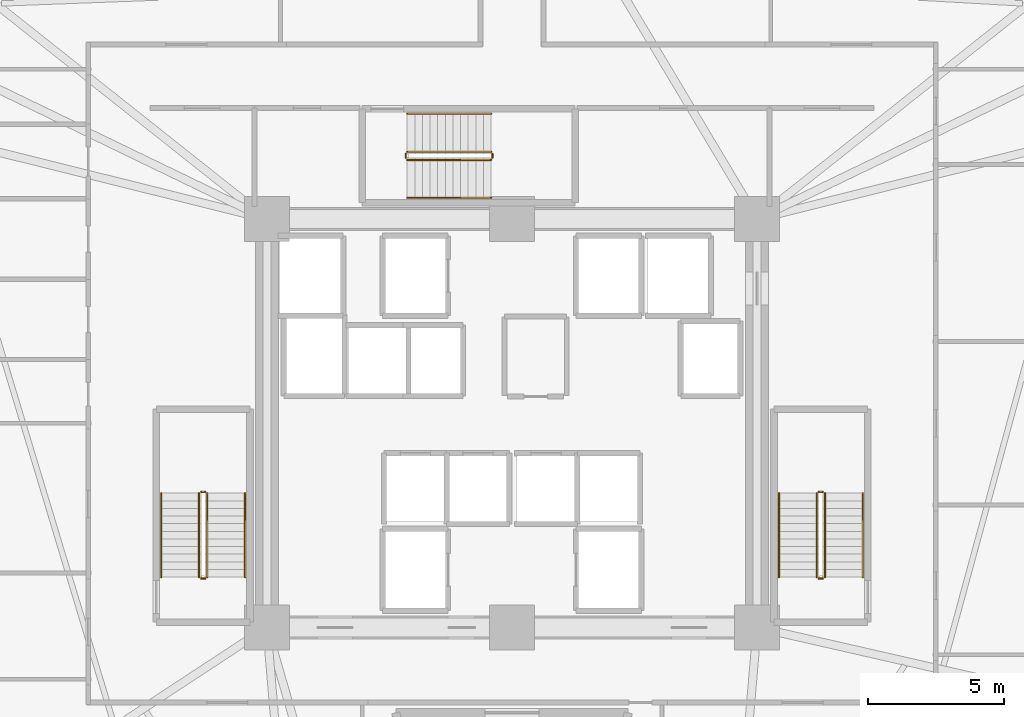
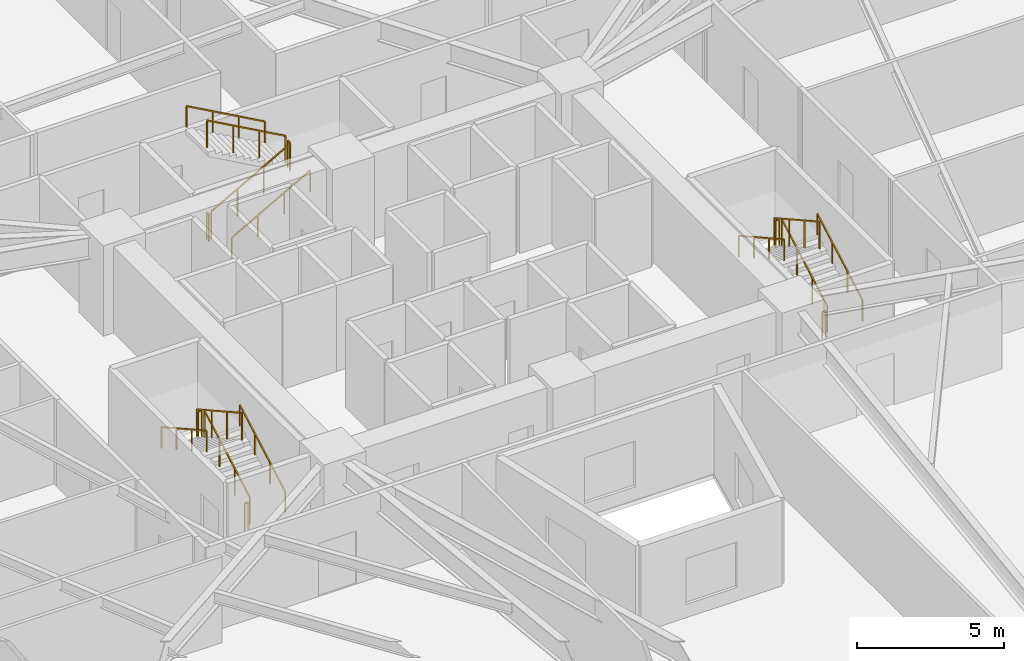
# One storey, part 9 of 9: 18 railings.
"""IFC4 building model written with IfcOpenShell, lengths in metres."""

from ifc_helpers import new_model, si_unit, direction, frame, origin, origin_2d, place, context, subcontext, project, spatial, rectangle, extrude, material, type_object, element, save


model = new_model("IFC4")

# Units and contexts
model_context = context("Model", 3, precision=1e-05, world=origin(), true_north=direction((0.0, 1.0)))
body_context = subcontext(model_context, "Body", "Model", "MODEL_VIEW")
ifc_project = project(units=[si_unit("LENGTHUNIT", "METRE"), si_unit("AREAUNIT", "SQUARE_METRE"), si_unit("VOLUMEUNIT", "CUBIC_METRE"), si_unit("PLANEANGLEUNIT", "RADIAN"), si_unit("MASSUNIT", "GRAM", prefix="KILO")], contexts=[model_context])

# Site, building, storey
site_placement = place(None, origin())
site = spatial("IfcSite", under=ifc_project, at=site_placement, CompositionType="ELEMENT")
building_placement = place(site_placement, origin())
building = spatial("IfcBuilding", under=site, at=building_placement, Name="Liaohun Quay Tower", CompositionType="ELEMENT")
storey_placement = place(building_placement, frame((0.0, 0.0, 74.25)))
storey = spatial("IfcBuildingStorey", under=building, at=storey_placement, Name="L19", CompositionType="ELEMENT", Elevation=74.25)

# Railings
ifc_material_1 = material(Name="Painted tubular steel", Category="steel")
railing_type_1 = type_object("IfcRailingType", Name="RLG-GUARD-STR", PredefinedType="GUARDRAIL", material=ifc_material_1)
railing_1_placement = place(storey_placement, frame((48.81005859375, 48.35009765625, 0.15625)))
element("IfcRailing", 1, at=railing_1_placement, inside=storey, type_object=railing_type_1, Name="L19 ST-1 stair guard 1", PredefinedType="GUARDRAIL", context=body_context, shape_type="SweptSolid", body=[
    extrude(rectangle(XDim=0.048095703125, YDim=0.048095703125, at=origin_2d()), frame((0.0, 0.0, 1.1259765625), z_axis=(0.0, 0.873225103656, 0.487317061414), x_axis=(-1.0, 0.0, 0.0)), (0.0, 0.0, 1.0), 3.52685546875),
    extrude(rectangle(XDim=0.0419921875, YDim=0.0419921875, at=origin_2d()), origin(), (0.0, 0.0, 1.0), 1.101806640625),
    extrude(rectangle(XDim=0.0419921875, YDim=0.0419921875, at=origin_2d()), frame((0.0, 1.026611328125, 0.572998046875)), (0.0, 0.0, 1.0), 1.101806640625),
    extrude(rectangle(XDim=0.0419921875, YDim=0.0419921875, at=origin_2d()), frame((0.0, 2.05322265625, 1.145751953125)), (0.0, 0.0, 1.0), 1.101806640625),
    extrude(rectangle(XDim=0.0419921875, YDim=0.0419921875, at=origin_2d()), frame((0.0, 3.079833984375, 1.71875)), (0.0, 0.0, 1.0), 1.101806640625),
])
railing_2_placement = place(storey_placement, frame((48.72998046875, 51.47998046875, 1.875)))
element("IfcRailing", 2, at=railing_2_placement, inside=storey, type_object=railing_type_1, Name="L19 ST-1 stair guard 2", PredefinedType="GUARDRAIL", context=body_context, shape_type="SweptSolid", body=[
    extrude(rectangle(XDim=0.048095703125, YDim=0.048095703125, at=origin_2d()), frame((0.0, 0.0, 1.1259765625), z_axis=(-1.0, 0.0, 0.0), x_axis=(0.0, -1.0, 0.0)), (0.0, 0.0, 1.0), 0.139892578125),
    extrude(rectangle(XDim=0.0419921875, YDim=0.0419921875, at=origin_2d()), origin(), (0.0, 0.0, 1.0), 1.101806640625),
    extrude(rectangle(XDim=0.0419921875, YDim=0.0419921875, at=origin_2d()), frame((-0.139892578125, 0.0, 0.0)), (0.0, 0.0, 1.0), 1.101806640625),
])
railing_3_placement = place(storey_placement, frame((48.510009765625, 51.429931640625, 2.03125)))
element("IfcRailing", 3, at=railing_3_placement, inside=storey, type_object=railing_type_1, Name="L19 ST-1 stair guard 3", PredefinedType="GUARDRAIL", context=body_context, shape_type="SweptSolid", body=[
    extrude(rectangle(XDim=0.048095703125, YDim=0.048095703125, at=origin_2d()), frame((0.0, 0.0, 1.1259765625), z_axis=(0.0, -0.873225103656, 0.487317061414), x_axis=(1.0, 0.0, 0.0)), (0.0, 0.0, 1.0), 3.52685546875),
    extrude(rectangle(XDim=0.0419921875, YDim=0.0419921875, at=origin_2d()), origin(), (0.0, 0.0, 1.0), 1.101806640625),
    extrude(rectangle(XDim=0.0419921875, YDim=0.0419921875, at=origin_2d()), frame((0.0, -1.026611328125, 0.572998046875)), (0.0, 0.0, 1.0), 1.101806640625),
    extrude(rectangle(XDim=0.0419921875, YDim=0.0419921875, at=origin_2d()), frame((0.0, -2.05322265625, 1.145751953125)), (0.0, 0.0, 1.0), 1.101806640625),
    extrude(rectangle(XDim=0.0419921875, YDim=0.0419921875, at=origin_2d()), frame((0.0, -3.079833984375, 1.71875)), (0.0, 0.0, 1.0), 1.101806640625),
])
railing_4_placement = place(storey_placement, frame((48.72998046875, 48.300048828125, 0.0)))
element("IfcRailing", 4, at=railing_4_placement, inside=storey, type_object=railing_type_1, Name="L19 ST-1 stair guard 4", PredefinedType="GUARDRAIL", context=body_context, shape_type="SweptSolid", body=[
    extrude(rectangle(XDim=0.048095703125, YDim=0.048095703125, at=origin_2d()), frame((0.0, 0.0, 1.1259765625), z_axis=(-1.0, 0.0, 0.0), x_axis=(0.0, -1.0, 0.0)), (0.0, 0.0, 1.0), 0.139892578125),
    extrude(rectangle(XDim=0.0419921875, YDim=0.0419921875, at=origin_2d()), origin(), (0.0, 0.0, 1.0), 1.101806640625),
    extrude(rectangle(XDim=0.0419921875, YDim=0.0419921875, at=origin_2d()), frame((-0.139892578125, 0.0, 0.0)), (0.0, 0.0, 1.0), 1.101806640625),
])
railing_5_placement = place(storey_placement, frame((71.489990234375, 48.35009765625, 0.15625)))
element("IfcRailing", 5, at=railing_5_placement, inside=storey, type_object=railing_type_1, Name="L19 ST-2 stair guard 1", PredefinedType="GUARDRAIL", context=body_context, shape_type="SweptSolid", body=[
    extrude(rectangle(XDim=0.048095703125, YDim=0.048095703125, at=origin_2d()), frame((0.0, 0.0, 1.1259765625), z_axis=(0.0, 0.873225103656, 0.487317061414), x_axis=(-1.0, 0.0, 0.0)), (0.0, 0.0, 1.0), 3.52685546875),
    extrude(rectangle(XDim=0.0419921875, YDim=0.0419921875, at=origin_2d()), origin(), (0.0, 0.0, 1.0), 1.101806640625),
    extrude(rectangle(XDim=0.0419921875, YDim=0.0419921875, at=origin_2d()), frame((0.0, 1.026611328125, 0.572998046875)), (0.0, 0.0, 1.0), 1.101806640625),
    extrude(rectangle(XDim=0.0419921875, YDim=0.0419921875, at=origin_2d()), frame((0.0, 2.05322265625, 1.145751953125)), (0.0, 0.0, 1.0), 1.101806640625),
    extrude(rectangle(XDim=0.0419921875, YDim=0.0419921875, at=origin_2d()), frame((0.0, 3.079833984375, 1.71875)), (0.0, 0.0, 1.0), 1.101806640625),
])
railing_6_placement = place(storey_placement, frame((71.409912109375, 51.47998046875, 1.875)))
element("IfcRailing", 6, at=railing_6_placement, inside=storey, type_object=railing_type_1, Name="L19 ST-2 stair guard 2", PredefinedType="GUARDRAIL", context=body_context, shape_type="SweptSolid", body=[
    extrude(rectangle(XDim=0.048095703125, YDim=0.048095703125, at=origin_2d()), frame((0.0, 0.0, 1.1259765625), z_axis=(-1.0, 0.0, 0.0), x_axis=(0.0, -1.0, 0.0)), (0.0, 0.0, 1.0), 0.139892578125),
    extrude(rectangle(XDim=0.0419921875, YDim=0.0419921875, at=origin_2d()), origin(), (0.0, 0.0, 1.0), 1.101806640625),
    extrude(rectangle(XDim=0.0419921875, YDim=0.0419921875, at=origin_2d()), frame((-0.139892578125, 0.0, 0.0)), (0.0, 0.0, 1.0), 1.101806640625),
])
railing_7_placement = place(storey_placement, frame((71.18994140625, 51.429931640625, 2.03125)))
element("IfcRailing", 7, at=railing_7_placement, inside=storey, type_object=railing_type_1, Name="L19 ST-2 stair guard 3", PredefinedType="GUARDRAIL", context=body_context, shape_type="SweptSolid", body=[
    extrude(rectangle(XDim=0.048095703125, YDim=0.048095703125, at=origin_2d()), frame((0.0, 0.0, 1.1259765625), z_axis=(0.0, -0.873225103656, 0.487317061414), x_axis=(1.0, 0.0, 0.0)), (0.0, 0.0, 1.0), 3.52685546875),
    extrude(rectangle(XDim=0.0419921875, YDim=0.0419921875, at=origin_2d()), origin(), (0.0, 0.0, 1.0), 1.101806640625),
    extrude(rectangle(XDim=0.0419921875, YDim=0.0419921875, at=origin_2d()), frame((0.0, -1.026611328125, 0.572998046875)), (0.0, 0.0, 1.0), 1.101806640625),
    extrude(rectangle(XDim=0.0419921875, YDim=0.0419921875, at=origin_2d()), frame((0.0, -2.05322265625, 1.145751953125)), (0.0, 0.0, 1.0), 1.101806640625),
    extrude(rectangle(XDim=0.0419921875, YDim=0.0419921875, at=origin_2d()), frame((0.0, -3.079833984375, 1.71875)), (0.0, 0.0, 1.0), 1.101806640625),
])
railing_8_placement = place(storey_placement, frame((71.409912109375, 48.300048828125, 0.0)))
element("IfcRailing", 8, at=railing_8_placement, inside=storey, type_object=railing_type_1, Name="L19 ST-2 stair guard 4", PredefinedType="GUARDRAIL", context=body_context, shape_type="SweptSolid", body=[
    extrude(rectangle(XDim=0.048095703125, YDim=0.048095703125, at=origin_2d()), frame((0.0, 0.0, 1.1259765625), z_axis=(-1.0, 0.0, 0.0), x_axis=(0.0, -1.0, 0.0)), (0.0, 0.0, 1.0), 0.139892578125),
    extrude(rectangle(XDim=0.0419921875, YDim=0.0419921875, at=origin_2d()), origin(), (0.0, 0.0, 1.0), 1.101806640625),
    extrude(rectangle(XDim=0.0419921875, YDim=0.0419921875, at=origin_2d()), frame((-0.139892578125, 0.0, 0.0)), (0.0, 0.0, 1.0), 1.101806640625),
])
railing_9_placement = place(storey_placement, frame((56.14990234375, 63.669921875, 0.15625)))
element("IfcRailing", 9, at=railing_9_placement, inside=storey, type_object=railing_type_1, Name="L19 ST-3 stair guard 1", PredefinedType="GUARDRAIL", context=body_context, shape_type="SweptSolid", body=[
    extrude(rectangle(XDim=0.048095703125, YDim=0.048095703125, at=origin_2d()), frame((0.0, 0.0, 1.1259765625), z_axis=(0.873241540666, 0.0, 0.487287606713), x_axis=(0.0, 1.0, 0.0)), (0.0, 0.0, 1.0), 3.527099609375),
    extrude(rectangle(XDim=0.0419921875, YDim=0.0419921875, at=origin_2d()), origin(), (0.0, 0.0, 1.0), 1.101806640625),
    extrude(rectangle(XDim=0.0419921875, YDim=0.0419921875, at=origin_2d()), frame((1.026611328125, 0.0, 0.572998046875)), (0.0, 0.0, 1.0), 1.101806640625),
    extrude(rectangle(XDim=0.0419921875, YDim=0.0419921875, at=origin_2d()), frame((2.053466796875, 0.0, 1.145751953125)), (0.0, 0.0, 1.0), 1.101806640625),
    extrude(rectangle(XDim=0.0419921875, YDim=0.0419921875, at=origin_2d()), frame((3.080078125, 0.0, 1.71875)), (0.0, 0.0, 1.0), 1.101806640625),
])
railing_10_placement = place(storey_placement, frame((59.280029296875, 63.75, 1.875)))
element("IfcRailing", 10, at=railing_10_placement, inside=storey, type_object=railing_type_1, Name="L19 ST-3 stair guard 2", PredefinedType="GUARDRAIL", context=body_context, shape_type="SweptSolid", body=[
    extrude(rectangle(XDim=0.048095703125, YDim=0.048095703125, at=origin_2d()), frame((0.0, 0.0, 1.1259765625), z_axis=(0.0, 1.0, 0.0), x_axis=(-1.0, 0.0, 0.0)), (0.0, 0.0, 1.0), 0.139892578125),
    extrude(rectangle(XDim=0.0419921875, YDim=0.0419921875, at=origin_2d()), origin(), (0.0, 0.0, 1.0), 1.101806640625),
    extrude(rectangle(XDim=0.0419921875, YDim=0.0419921875, at=origin_2d()), frame((0.0, 0.139892578125, 0.0)), (0.0, 0.0, 1.0), 1.101806640625),
])
railing_11_placement = place(storey_placement, frame((59.22998046875, 63.969970703125, 2.03125)))
element("IfcRailing", 11, at=railing_11_placement, inside=storey, type_object=railing_type_1, Name="L19 ST-3 stair guard 3", PredefinedType="GUARDRAIL", context=body_context, shape_type="SweptSolid", body=[
    extrude(rectangle(XDim=0.048095703125, YDim=0.048095703125, at=origin_2d()), frame((0.0, 0.0, 1.1259765625), z_axis=(-0.873241540666, 0.0, 0.487287606713), x_axis=(0.0, -1.0, 0.0)), (0.0, 0.0, 1.0), 3.527099609375),
    extrude(rectangle(XDim=0.0419921875, YDim=0.0419921875, at=origin_2d()), origin(), (0.0, 0.0, 1.0), 1.101806640625),
    extrude(rectangle(XDim=0.0419921875, YDim=0.0419921875, at=origin_2d()), frame((-1.026611328125, 0.0, 0.572998046875)), (0.0, 0.0, 1.0), 1.101806640625),
    extrude(rectangle(XDim=0.0419921875, YDim=0.0419921875, at=origin_2d()), frame((-2.053466796875, 0.0, 1.145751953125)), (0.0, 0.0, 1.0), 1.101806640625),
    extrude(rectangle(XDim=0.0419921875, YDim=0.0419921875, at=origin_2d()), frame((-3.080078125, 0.0, 1.71875)), (0.0, 0.0, 1.0), 1.101806640625),
])
railing_12_placement = place(storey_placement, frame((56.10009765625, 63.75, 0.0)))
element("IfcRailing", 12, at=railing_12_placement, inside=storey, type_object=railing_type_1, Name="L19 ST-3 stair guard 4", PredefinedType="GUARDRAIL", context=body_context, shape_type="SweptSolid", body=[
    extrude(rectangle(XDim=0.048095703125, YDim=0.048095703125, at=origin_2d()), frame((0.0, 0.0, 1.1259765625), z_axis=(0.0, 1.0, 0.0), x_axis=(-1.0, 0.0, 0.0)), (0.0, 0.0, 1.0), 0.139892578125),
    extrude(rectangle(XDim=0.0419921875, YDim=0.0419921875, at=origin_2d()), origin(), (0.0, 0.0, 1.0), 1.101806640625),
    extrude(rectangle(XDim=0.0419921875, YDim=0.0419921875, at=origin_2d()), frame((0.0, 0.139892578125, 0.0)), (0.0, 0.0, 1.0), 1.101806640625),
])
ifc_material_2 = material(Name="Brushed stainless steel", Category="steel")
railing_type_2 = type_object("IfcRailingType", Name="RLG-HND-STR", PredefinedType="HANDRAIL", material=ifc_material_2)
railing_13_placement = place(storey_placement, frame((50.199951171875, 48.35009765625, 0.15625)))
element("IfcRailing", 13, at=railing_13_placement, inside=storey, type_object=railing_type_2, Name="L19 ST-1 stair handrail 1", PredefinedType="HANDRAIL", context=body_context, shape_type="SweptSolid", body=[
    extrude(rectangle(XDim=0.048095703125, YDim=0.048095703125, at=origin_2d()), frame((0.0, 0.0, 0.8759765625), z_axis=(0.0, 0.873225103656, 0.487317061414), x_axis=(-1.0, 0.0, 0.0)), (0.0, 0.0, 1.0), 3.52685546875),
    extrude(rectangle(XDim=0.0419921875, YDim=0.0419921875, at=origin_2d()), origin(), (0.0, 0.0, 1.0), 0.851806640625),
    extrude(rectangle(XDim=0.0419921875, YDim=0.0419921875, at=origin_2d()), frame((0.0, 1.026611328125, 0.572998046875)), (0.0, 0.0, 1.0), 0.851806640625),
    extrude(rectangle(XDim=0.0419921875, YDim=0.0419921875, at=origin_2d()), frame((0.0, 2.05322265625, 1.145751953125)), (0.0, 0.0, 1.0), 0.851806640625),
    extrude(rectangle(XDim=0.0419921875, YDim=0.0419921875, at=origin_2d()), frame((0.0, 3.079833984375, 1.71875)), (0.0, 0.0, 1.0), 0.851806640625),
])
railing_14_placement = place(storey_placement, frame((47.1201171875, 51.429931640625, 2.03125)))
element("IfcRailing", 14, at=railing_14_placement, inside=storey, type_object=railing_type_2, Name="L19 ST-1 stair handrail 2", PredefinedType="HANDRAIL", context=body_context, shape_type="SweptSolid", body=[
    extrude(rectangle(XDim=0.048095703125, YDim=0.048095703125, at=origin_2d()), frame((0.0, 0.0, 0.8759765625), z_axis=(0.0, -0.873225103656, 0.487317061414), x_axis=(1.0, 0.0, 0.0)), (0.0, 0.0, 1.0), 3.52685546875),
    extrude(rectangle(XDim=0.0419921875, YDim=0.0419921875, at=origin_2d()), origin(), (0.0, 0.0, 1.0), 0.851806640625),
    extrude(rectangle(XDim=0.0419921875, YDim=0.0419921875, at=origin_2d()), frame((0.0, -1.026611328125, 0.572998046875)), (0.0, 0.0, 1.0), 0.851806640625),
    extrude(rectangle(XDim=0.0419921875, YDim=0.0419921875, at=origin_2d()), frame((0.0, -2.05322265625, 1.145751953125)), (0.0, 0.0, 1.0), 0.851806640625),
    extrude(rectangle(XDim=0.0419921875, YDim=0.0419921875, at=origin_2d()), frame((0.0, -3.079833984375, 1.71875)), (0.0, 0.0, 1.0), 0.851806640625),
])
railing_15_placement = place(storey_placement, frame((72.8798828125, 48.35009765625, 0.15625)))
element("IfcRailing", 15, at=railing_15_placement, inside=storey, type_object=railing_type_2, Name="L19 ST-2 stair handrail 1", PredefinedType="HANDRAIL", context=body_context, shape_type="SweptSolid", body=[
    extrude(rectangle(XDim=0.048095703125, YDim=0.048095703125, at=origin_2d()), frame((0.0, 0.0, 0.8759765625), z_axis=(0.0, 0.873225103656, 0.487317061414), x_axis=(-1.0, 0.0, 0.0)), (0.0, 0.0, 1.0), 3.52685546875),
    extrude(rectangle(XDim=0.0419921875, YDim=0.0419921875, at=origin_2d()), origin(), (0.0, 0.0, 1.0), 0.851806640625),
    extrude(rectangle(XDim=0.0419921875, YDim=0.0419921875, at=origin_2d()), frame((0.0, 1.026611328125, 0.572998046875)), (0.0, 0.0, 1.0), 0.851806640625),
    extrude(rectangle(XDim=0.0419921875, YDim=0.0419921875, at=origin_2d()), frame((0.0, 2.05322265625, 1.145751953125)), (0.0, 0.0, 1.0), 0.851806640625),
    extrude(rectangle(XDim=0.0419921875, YDim=0.0419921875, at=origin_2d()), frame((0.0, 3.079833984375, 1.71875)), (0.0, 0.0, 1.0), 0.851806640625),
])
railing_16_placement = place(storey_placement, frame((69.800048828125, 51.429931640625, 2.03125)))
element("IfcRailing", 16, at=railing_16_placement, inside=storey, type_object=railing_type_2, Name="L19 ST-2 stair handrail 2", PredefinedType="HANDRAIL", context=body_context, shape_type="SweptSolid", body=[
    extrude(rectangle(XDim=0.048095703125, YDim=0.048095703125, at=origin_2d()), frame((0.0, 0.0, 0.8759765625), z_axis=(0.0, -0.873225103656, 0.487317061414), x_axis=(1.0, 0.0, 0.0)), (0.0, 0.0, 1.0), 3.52685546875),
    extrude(rectangle(XDim=0.0419921875, YDim=0.0419921875, at=origin_2d()), origin(), (0.0, 0.0, 1.0), 0.851806640625),
    extrude(rectangle(XDim=0.0419921875, YDim=0.0419921875, at=origin_2d()), frame((0.0, -1.026611328125, 0.572998046875)), (0.0, 0.0, 1.0), 0.851806640625),
    extrude(rectangle(XDim=0.0419921875, YDim=0.0419921875, at=origin_2d()), frame((0.0, -2.05322265625, 1.145751953125)), (0.0, 0.0, 1.0), 0.851806640625),
    extrude(rectangle(XDim=0.0419921875, YDim=0.0419921875, at=origin_2d()), frame((0.0, -3.079833984375, 1.71875)), (0.0, 0.0, 1.0), 0.851806640625),
])
railing_17_placement = place(storey_placement, frame((56.14990234375, 62.280029296875, 0.15625)))
element("IfcRailing", 17, at=railing_17_placement, inside=storey, type_object=railing_type_2, Name="L19 ST-3 stair handrail 1", PredefinedType="HANDRAIL", context=body_context, shape_type="SweptSolid", body=[
    extrude(rectangle(XDim=0.048095703125, YDim=0.048095703125, at=origin_2d()), frame((0.0, 0.0, 0.8759765625), z_axis=(0.873241540666, 0.0, 0.487287606713), x_axis=(0.0, 1.0, 0.0)), (0.0, 0.0, 1.0), 3.527099609375),
    extrude(rectangle(XDim=0.0419921875, YDim=0.0419921875, at=origin_2d()), origin(), (0.0, 0.0, 1.0), 0.851806640625),
    extrude(rectangle(XDim=0.0419921875, YDim=0.0419921875, at=origin_2d()), frame((1.026611328125, 0.0, 0.572998046875)), (0.0, 0.0, 1.0), 0.851806640625),
    extrude(rectangle(XDim=0.0419921875, YDim=0.0419921875, at=origin_2d()), frame((2.053466796875, 0.0, 1.145751953125)), (0.0, 0.0, 1.0), 0.851806640625),
    extrude(rectangle(XDim=0.0419921875, YDim=0.0419921875, at=origin_2d()), frame((3.080078125, 0.0, 1.71875)), (0.0, 0.0, 1.0), 0.851806640625),
])
railing_18_placement = place(storey_placement, frame((59.22998046875, 65.360107421875, 2.03125)))
element("IfcRailing", 18, at=railing_18_placement, inside=storey, type_object=railing_type_2, Name="L19 ST-3 stair handrail 2", PredefinedType="HANDRAIL", context=body_context, shape_type="SweptSolid", body=[
    extrude(rectangle(XDim=0.048095703125, YDim=0.048095703125, at=origin_2d()), frame((0.0, 0.0, 0.8759765625), z_axis=(-0.873241540666, 0.0, 0.487287606713), x_axis=(0.0, -1.0, 0.0)), (0.0, 0.0, 1.0), 3.527099609375),
    extrude(rectangle(XDim=0.0419921875, YDim=0.0419921875, at=origin_2d()), origin(), (0.0, 0.0, 1.0), 0.851806640625),
    extrude(rectangle(XDim=0.0419921875, YDim=0.0419921875, at=origin_2d()), frame((-1.026611328125, 0.0, 0.572998046875)), (0.0, 0.0, 1.0), 0.851806640625),
    extrude(rectangle(XDim=0.0419921875, YDim=0.0419921875, at=origin_2d()), frame((-2.053466796875, 0.0, 1.145751953125)), (0.0, 0.0, 1.0), 0.851806640625),
    extrude(rectangle(XDim=0.0419921875, YDim=0.0419921875, at=origin_2d()), frame((-3.080078125, 0.0, 1.71875)), (0.0, 0.0, 1.0), 0.851806640625),
])

save(model, "model.ifc")
